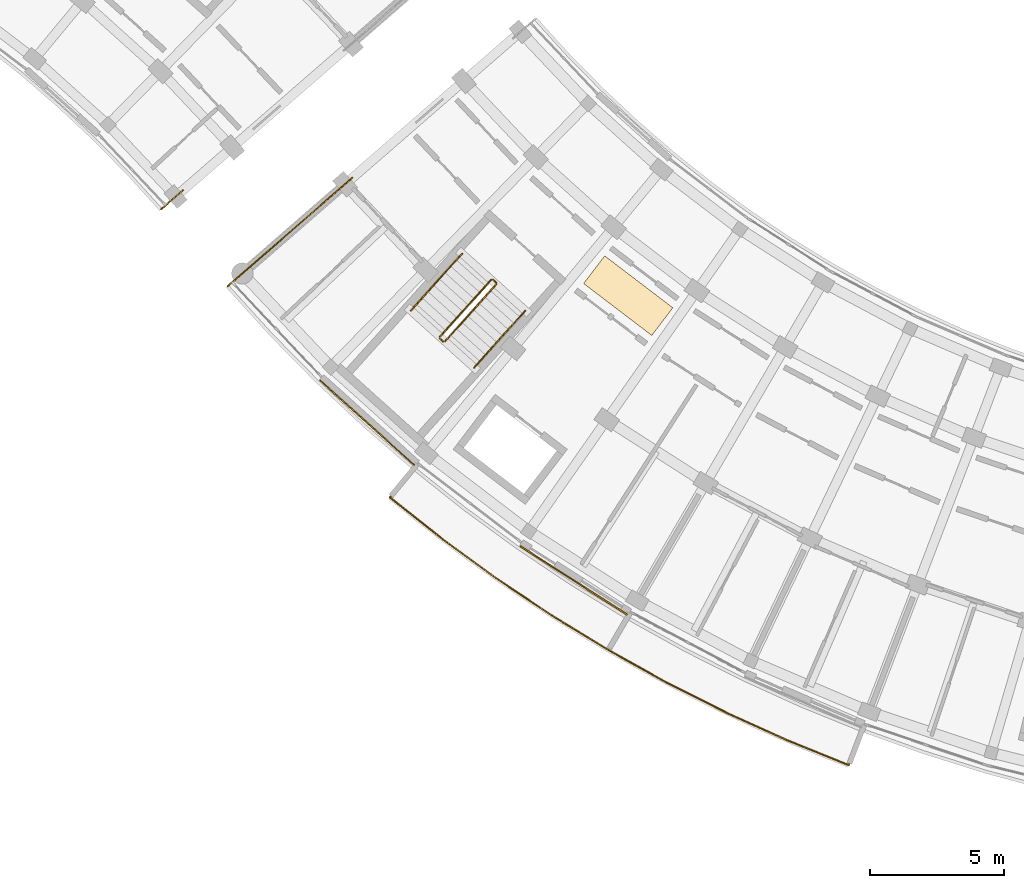
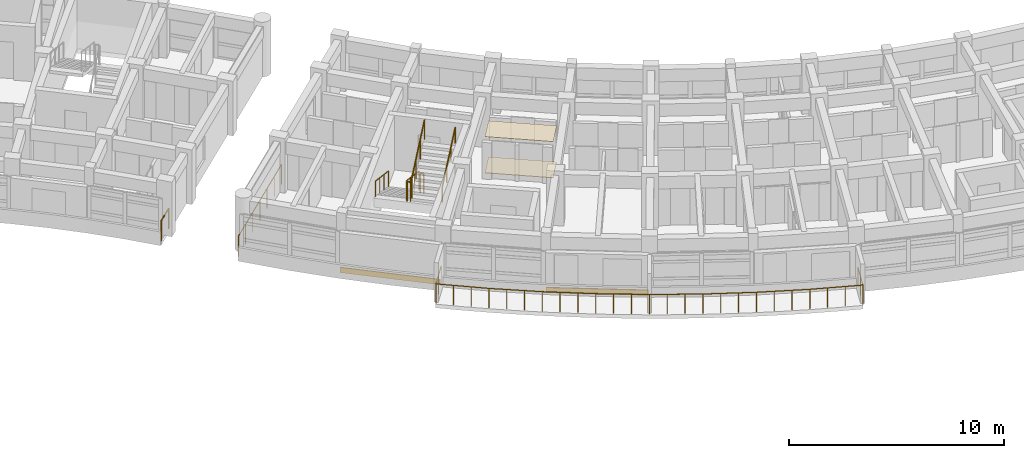
# One storey, part 45 of 54: 9 railings, 4 coverings.
"""IFC4 building model written with IfcOpenShell, lengths in metres."""

from ifc_helpers import new_model, si_unit, direction, frame, origin, origin_2d, place, context, subcontext, project, spatial, rectangle, circle, extrude, material, layer, layer_set, type_object, element, save


model = new_model("IFC4")

# Units and contexts
model_context = context("Model", 3, precision=1e-05, world=origin(), true_north=direction((0.0, 1.0)))
body_context = subcontext(model_context, "Body", "Model", "MODEL_VIEW")
ifc_project = project(units=[si_unit("LENGTHUNIT", "METRE"), si_unit("AREAUNIT", "SQUARE_METRE"), si_unit("VOLUMEUNIT", "CUBIC_METRE"), si_unit("PLANEANGLEUNIT", "RADIAN"), si_unit("MASSUNIT", "GRAM", prefix="KILO")], contexts=[model_context])

# Site, building, storey
site_placement = place(None, origin())
site = spatial("IfcSite", under=ifc_project, at=site_placement, CompositionType="ELEMENT")
building_placement = place(site_placement, origin())
building = spatial("IfcBuilding", under=site, at=building_placement, Name="Zimvara Arc Housing Community", CompositionType="ELEMENT")
storey_placement = place(building_placement, frame((0.0, 0.0, 20.5)))
storey = spatial("IfcBuildingStorey", under=building, at=storey_placement, Name="L06", CompositionType="ELEMENT", Elevation=20.5)

# Coverings
ifc_material_1 = material(Name="Pale-Gold Anodised Aluminium Cladding", Category="aluminium")
ifc_layer_1 = layer(ifc_material_1, 0.044921875)
ifc_layer_set_1 = layer_set([ifc_layer_1], Name="Pale-Gold Anodised Aluminium Cladding")
covering_type_1 = type_object("IfcCoveringType", Name="CLD-GOLD-02", PredefinedType="CLADDING", material=ifc_layer_set_1)
covering_1_placement = place(storey_placement, frame((86.20556640625, 65.655029296875, 0.009765625), z_axis=(0.0, 0.0, 1.0), x_axis=(0.74337718344, -0.668872456557, 0.0)))
element("IfcCovering", 1, at=covering_1_placement, inside=storey, type_object=covering_type_1, Name="cld:blkC:L06:out:b1", PredefinedType="CLADDING", context=body_context, shape_type="SweptSolid", body=[
    extrude(rectangle(XDim=4.748779296875, YDim=0.044921875, at=origin_2d()), origin(), (0.0, 0.0, 1.0), 0.300048828125),
])
ifc_material_2 = material(Name="Pale-Gold Anodised Aluminium Cladding", Category="aluminium")
ifc_layer_2 = layer(ifc_material_2, 0.054931640625)
ifc_layer_set_2 = layer_set([ifc_layer_2], Name="Pale-Gold Anodised Aluminium Cladding")
covering_type_2 = type_object("IfcCoveringType", Name="CLD-GOLD-04", PredefinedType="CLADDING", material=ifc_layer_set_2)
covering_2_placement = place(storey_placement, frame((93.91796875, 59.7646484375, 0.009765625), z_axis=(0.0, 0.0, 1.0), x_axis=(0.842265220048, -0.53906335351, 0.0)))
element("IfcCovering", 2, at=covering_2_placement, inside=storey, type_object=covering_type_2, Name="cld:blkC:L06:out:b3", PredefinedType="CLADDING", context=body_context, shape_type="SweptSolid", body=[
    extrude(rectangle(XDim=4.748779296875, YDim=0.054931640625, at=origin_2d()), origin(), (0.0, 0.0, 1.0), 0.300048828125),
])
ifc_material_3 = material(Name="Perforated Acoustic Ceiling Board")
ifc_layer_3 = layer(ifc_material_3, 0.02490234375)
ifc_layer_set_3 = layer_set([ifc_layer_3], Name="Perforated Acoustic Ceiling Board")
covering_type_3 = type_object("IfcCoveringType", Name="COV-CEIL-03", PredefinedType="CEILING", material=ifc_layer_set_3)
covering_3_placement = place(storey_placement, frame((95.954833984375, 70.40087890625, 2.054931640625), z_axis=(0.0, 0.0, 1.0), x_axis=(-0.605988400266, -0.795473480855, 0.0)))
element("IfcCovering", 3, at=covering_3_placement, inside=storey, type_object=covering_type_3, Name="ceil:blkC:L06", PredefinedType="CEILING", context=body_context, shape_type="SweptSolid", body=[
    extrude(rectangle(XDim=1.300048828125, YDim=3.199951171875, at=origin_2d()), origin(), (0.0, 0.0, 1.0), 0.02490234375),
])
ifc_material_4 = material(Name="Polished Coastal Sand Terrazzo")
ifc_layer_4 = layer(ifc_material_4, 0.028076171875)
ifc_layer_set_4 = layer_set([ifc_layer_4], Name="Polished Coastal Sand Terrazzo")
covering_type_4 = type_object("IfcCoveringType", Name="COV-FLOR-03", PredefinedType="FLOORING", material=ifc_layer_set_4)
covering_4_placement = place(storey_placement, frame((95.954833984375, 70.40087890625, 0.0), z_axis=(0.0, 0.0, 1.0), x_axis=(-0.605988400266, -0.795473480855, 0.0)))
element("IfcCovering", 4, at=covering_4_placement, inside=storey, type_object=covering_type_4, Name="flor:blkC:L06", PredefinedType="FLOORING", context=body_context, shape_type="SweptSolid", body=[
    extrude(rectangle(XDim=1.300048828125, YDim=3.199951171875, at=origin_2d()), origin(), (0.0, 0.0, 1.0), 0.028076171875),
])

# Railings
ifc_material_5 = material(Name="Anodised Aluminium AW-6063", Category="aluminium")
railing_type_1 = type_object("IfcRailingType", Name="RLG-BAL-1120", PredefinedType="BALUSTRADE", material=ifc_material_5)
railing_1_placement = place(storey_placement, frame((87.9892578125, 64.00244140625, 0.0)))
element("IfcRailing", 5, at=railing_1_placement, inside=storey, type_object=railing_type_1, Name="rlg:blkC:L06:bal_out_guard", PredefinedType="BALUSTRADE", context=body_context, shape_type="SweptSolid", body=[
    extrude(circle(Radius=0.02392578125, at=origin_2d()), frame((0.0, 0.0, 1.09619140625), z_axis=(-0.637910943987, -0.770110139877, 0.0), x_axis=(0.770110139877, -0.637910943987, 0.0)), (0.0, 0.0, 1.0), 1.469970703125),
    extrude(circle(Radius=0.02392578125, at=origin_2d()), frame((-0.937744140625, -1.132080078125, 1.09619140625), z_axis=(0.782995761949, -0.622027038616, 0.0), x_axis=(0.622027038616, 0.782995761949, 0.0)), (0.0, 0.0, 1.0), 2.491943359375),
    extrude(circle(Radius=0.02392578125, at=origin_2d()), frame((1.013427734375, -2.68212890625, 1.09619140625), z_axis=(0.807645933057, -0.58966774273, 0.0), x_axis=(0.58966774273, 0.807645933057, 0.0)), (0.0, 0.0, 1.0), 2.491943359375),
    extrude(circle(Radius=0.02392578125, at=origin_2d()), frame((3.026123046875, -4.151611328125, 1.09619140625), z_axis=(0.831084288939, -0.556146477719, 0.0), x_axis=(0.556146477719, 0.831084288939, 0.0)), (0.0, 0.0, 1.0), 2.49169921875),
    extrude(circle(Radius=0.02392578125, at=origin_2d()), frame((5.096923828125, -5.537353515625, 1.09619140625), z_axis=(0.85308804422, -0.521766987083, 0.0), x_axis=(0.521766987083, 0.85308804422, 0.0)), (0.0, 0.0, 1.0), 2.4921875),
    extrude(circle(Radius=0.02392578125, at=origin_2d()), frame((7.222900390625, -6.837646484375, 1.09619140625), z_axis=(0.873694706728, -0.48647462363, 0.0), x_axis=(0.48647462363, 0.873694706728, 0.0)), (0.0, 0.0, 1.0), 2.49169921875),
    extrude(circle(Radius=0.02392578125, at=origin_2d()), frame((9.39990234375, -8.0498046875, 1.09619140625), z_axis=(0.892794985218, -0.450463221994, 0.0), x_axis=(0.450463221994, 0.892794985218, 0.0)), (0.0, 0.0, 1.0), 2.491943359375),
    extrude(circle(Radius=0.02392578125, at=origin_2d()), frame((11.624755859375, -9.17236328125, 1.09619140625), z_axis=(0.910497277135, -0.413515064212, 0.0), x_axis=(0.413515064212, 0.910497277135, 0.0)), (0.0, 0.0, 1.0), 2.4921875),
    extrude(circle(Radius=0.02392578125, at=origin_2d()), frame((13.893798828125, -10.202880859375, 1.09619140625), z_axis=(0.926599979092, -0.376048505843, 0.0), x_axis=(0.376048505843, 0.926599979092, 0.0)), (0.0, 0.0, 1.0), 2.49169921875),
    extrude(circle(Radius=0.02392578125, at=origin_2d()), frame((16.20263671875, -11.139892578125, 1.09619140625), z_axis=(0.357086323574, 0.934071387805, 0.0), x_axis=(-0.934071387805, 0.357086323574, 0.0)), (0.0, 0.0, 1.0), 1.469970703125),
    extrude(circle(Radius=0.02099609375, at=origin_2d()), origin(), (0.0, 0.0, 1.0), 1.072021484375),
    extrude(circle(Radius=0.02099609375, at=origin_2d()), frame((-0.46875, -0.56591796875, 0.0)), (0.0, 0.0, 1.0), 1.072021484375),
    extrude(circle(Radius=0.02099609375, at=origin_2d()), frame((-0.937744140625, -1.132080078125, 0.0)), (0.0, 0.0, 1.0), 1.072021484375),
    extrude(circle(Radius=0.02099609375, at=origin_2d()), frame((-0.287353515625, -1.648681640625, 0.0)), (0.0, 0.0, 1.0), 1.072021484375),
    extrude(circle(Radius=0.02099609375, at=origin_2d()), frame((0.363037109375, -2.16552734375, 0.0)), (0.0, 0.0, 1.0), 1.072021484375),
    extrude(circle(Radius=0.02099609375, at=origin_2d()), frame((1.013427734375, -2.68212890625, 0.0)), (0.0, 0.0, 1.0), 1.072021484375),
    extrude(circle(Radius=0.02099609375, at=origin_2d()), frame((1.684326171875, -3.171875, 0.0)), (0.0, 0.0, 1.0), 1.072021484375),
    extrude(circle(Radius=0.02099609375, at=origin_2d()), frame((2.355224609375, -3.661865234375, 0.0)), (0.0, 0.0, 1.0), 1.072021484375),
    extrude(circle(Radius=0.02099609375, at=origin_2d()), frame((3.026123046875, -4.151611328125, 0.0)), (0.0, 0.0, 1.0), 1.072021484375),
    extrude(circle(Radius=0.02099609375, at=origin_2d()), frame((3.71630859375, -4.613525390625, 0.0)), (0.0, 0.0, 1.0), 1.072021484375),
    extrude(circle(Radius=0.02099609375, at=origin_2d()), frame((4.40673828125, -5.075439453125, 0.0)), (0.0, 0.0, 1.0), 1.072021484375),
    extrude(circle(Radius=0.02099609375, at=origin_2d()), frame((5.096923828125, -5.537353515625, 0.0)), (0.0, 0.0, 1.0), 1.072021484375),
    extrude(circle(Radius=0.02099609375, at=origin_2d()), frame((5.8056640625, -5.970703125, 0.0)), (0.0, 0.0, 1.0), 1.072021484375),
    extrude(circle(Radius=0.02099609375, at=origin_2d()), frame((6.51416015625, -6.404296875, 0.0)), (0.0, 0.0, 1.0), 1.072021484375),
    extrude(circle(Radius=0.02099609375, at=origin_2d()), frame((7.222900390625, -6.837646484375, 0.0)), (0.0, 0.0, 1.0), 1.072021484375),
    extrude(circle(Radius=0.02099609375, at=origin_2d()), frame((7.948486328125, -7.24169921875, 0.0)), (0.0, 0.0, 1.0), 1.072021484375),
    extrude(circle(Radius=0.02099609375, at=origin_2d()), frame((8.67431640625, -7.645751953125, 0.0)), (0.0, 0.0, 1.0), 1.072021484375),
    extrude(circle(Radius=0.02099609375, at=origin_2d()), frame((9.39990234375, -8.0498046875, 0.0)), (0.0, 0.0, 1.0), 1.072021484375),
    extrude(circle(Radius=0.02099609375, at=origin_2d()), frame((10.1416015625, -8.424072265625, 0.0)), (0.0, 0.0, 1.0), 1.072021484375),
    extrude(circle(Radius=0.02099609375, at=origin_2d()), frame((10.883056640625, -8.798095703125, 0.0)), (0.0, 0.0, 1.0), 1.072021484375),
    extrude(circle(Radius=0.02099609375, at=origin_2d()), frame((11.624755859375, -9.17236328125, 0.0)), (0.0, 0.0, 1.0), 1.072021484375),
    extrude(circle(Radius=0.02099609375, at=origin_2d()), frame((12.381103515625, -9.515869140625, 0.0)), (0.0, 0.0, 1.0), 1.072021484375),
    extrude(circle(Radius=0.02099609375, at=origin_2d()), frame((13.137451171875, -9.859375, 0.0)), (0.0, 0.0, 1.0), 1.072021484375),
    extrude(circle(Radius=0.02099609375, at=origin_2d()), frame((13.893798828125, -10.202880859375, 0.0)), (0.0, 0.0, 1.0), 1.072021484375),
    extrude(circle(Radius=0.02099609375, at=origin_2d()), frame((14.663330078125, -10.51513671875, 0.0)), (0.0, 0.0, 1.0), 1.072021484375),
    extrude(circle(Radius=0.02099609375, at=origin_2d()), frame((15.43310546875, -10.82763671875, 0.0)), (0.0, 0.0, 1.0), 1.072021484375),
    extrude(circle(Radius=0.02099609375, at=origin_2d()), frame((16.20263671875, -11.139892578125, 0.0)), (0.0, 0.0, 1.0), 1.072021484375),
    extrude(circle(Radius=0.02099609375, at=origin_2d()), frame((16.465087890625, -10.453369140625, 0.0)), (0.0, 0.0, 1.0), 1.072021484375),
    extrude(circle(Radius=0.02099609375, at=origin_2d()), frame((16.7275390625, -9.766845703125, 0.0)), (0.0, 0.0, 1.0), 1.072021484375),
])
railing_2_placement = place(storey_placement, frame((90.83447265625, 70.993896484375, 0.155029296875)))
element("IfcRailing", 6, at=railing_2_placement, inside=storey, type_object=railing_type_1, Name="L06 ST-C1 stair guard 1", PredefinedType="BALUSTRADE", context=body_context, shape_type="SweptSolid", body=[
    extrude(circle(Radius=0.02392578125, at=origin_2d()), frame((0.0, 0.0, 1.09619140625), z_axis=(-0.601262536038, -0.668205807809, 0.438160200347), x_axis=(0.743362010683, -0.668889319, 0.0)), (0.0, 0.0, 1.0), 3.183837890625),
    extrude(circle(Radius=0.02099609375, at=origin_2d()), origin(), (0.0, 0.0, 1.0), 1.072021484375),
    extrude(circle(Radius=0.02099609375, at=origin_2d()), frame((-0.63818359375, -0.709228515625, 0.465087890625)), (0.0, 0.0, 1.0), 1.072021484375),
    extrude(circle(Radius=0.02099609375, at=origin_2d()), frame((-1.276123046875, -1.418212890625, 0.929931640625)), (0.0, 0.0, 1.0), 1.072021484375),
    extrude(circle(Radius=0.02099609375, at=origin_2d()), frame((-1.914306640625, -2.12744140625, 1.39501953125)), (0.0, 0.0, 1.0), 1.072021484375),
])
railing_3_placement = place(storey_placement, frame((88.923828125, 68.795654296875, 1.550048828125)))
element("IfcRailing", 7, at=railing_3_placement, inside=storey, type_object=railing_type_1, Name="L06 ST-C1 stair guard 2", PredefinedType="BALUSTRADE", context=body_context, shape_type="SweptSolid", body=[
    extrude(circle(Radius=0.02392578125, at=origin_2d()), frame((0.0, 0.0, 1.09619140625), z_axis=(0.744203407529, -0.667953058397, 0.0), x_axis=(0.667953058397, 0.744203407529, 0.0)), (0.0, 0.0, 1.0), 0.16015625),
    extrude(circle(Radius=0.02099609375, at=origin_2d()), origin(), (0.0, 0.0, 1.0), 1.072021484375),
    extrude(circle(Radius=0.02099609375, at=origin_2d()), frame((0.119140625, -0.10693359375, 0.0)), (0.0, 0.0, 1.0), 1.072021484375),
])
railing_4_placement = place(storey_placement, frame((89.113525390625, 68.6923828125, 1.705078125)))
element("IfcRailing", 8, at=railing_4_placement, inside=storey, type_object=railing_type_1, Name="L06 ST-C1 stair guard 3", PredefinedType="BALUSTRADE", context=body_context, shape_type="SweptSolid", body=[
    extrude(circle(Radius=0.02392578125, at=origin_2d()), frame((0.0, 0.0, 1.09619140625), z_axis=(0.601231728384, 0.668248248038, 0.438137749775), x_axis=(-0.743400174344, 0.668846903847, 0.0)), (0.0, 0.0, 1.0), 3.18408203125),
    extrude(circle(Radius=0.02099609375, at=origin_2d()), origin(), (0.0, 0.0, 1.0), 1.072021484375),
    extrude(circle(Radius=0.02099609375, at=origin_2d()), frame((0.63818359375, 0.709228515625, 0.465087890625)), (0.0, 0.0, 1.0), 1.072021484375),
    extrude(circle(Radius=0.02099609375, at=origin_2d()), frame((1.276123046875, 1.41845703125, 0.929931640625)), (0.0, 0.0, 1.0), 1.072021484375),
    extrude(circle(Radius=0.02099609375, at=origin_2d()), frame((1.914306640625, 2.127685546875, 1.39501953125)), (0.0, 0.0, 1.0), 1.072021484375),
])
railing_5_placement = place(storey_placement, frame((90.905029296875, 70.99755859375, 0.0)))
element("IfcRailing", 9, at=railing_5_placement, inside=storey, type_object=railing_type_1, Name="L06 ST-C1 stair guard 4", PredefinedType="BALUSTRADE", context=body_context, shape_type="SweptSolid", body=[
    extrude(circle(Radius=0.02392578125, at=origin_2d()), frame((0.0, 0.0, 1.09619140625), z_axis=(0.744203407529, -0.667953058397, 0.0), x_axis=(0.667953058397, 0.744203407529, 0.0)), (0.0, 0.0, 1.0), 0.16015625),
    extrude(circle(Radius=0.02099609375, at=origin_2d()), origin(), (0.0, 0.0, 1.0), 1.072021484375),
    extrude(circle(Radius=0.02099609375, at=origin_2d()), frame((0.119140625, -0.10693359375, 0.0)), (0.0, 0.0, 1.0), 1.072021484375),
])
ifc_material_6 = material(Name="Anodised Aluminium AW-6063", Category="aluminium")
railing_type_2 = type_object("IfcRailingType", Name="RLG-BAL-1150", PredefinedType="BALUSTRADE", material=ifc_material_6)
railing_6_placement = place(storey_placement, frame((78.509033203125, 73.62890625, 0.0)))
element("IfcRailing", 10, at=railing_6_placement, inside=storey, type_object=railing_type_2, Name="rlg:blkB:L06:gable_in:gN", PredefinedType="BALUSTRADE", context=body_context, shape_type="SweptSolid", body=[
    extrude(circle(Radius=0.02392578125, at=origin_2d()), frame((0.0, 0.0, 1.1259765625), z_axis=(0.754659042762, 0.656117161167, 0.0), x_axis=(-0.656117161167, 0.754659042762, 0.0)), (0.0, 0.0, 1.0), 1.080322265625),
    extrude(circle(Radius=0.02099609375, at=origin_2d()), origin(), (0.0, 0.0, 1.0), 1.101806640625),
    extrude(circle(Radius=0.02099609375, at=origin_2d()), frame((0.815185546875, 0.708740234375, 0.0)), (0.0, 0.0, 1.0), 1.101806640625),
])
railing_7_placement = place(storey_placement, frame((85.6484375, 74.80029296875, 0.0)))
element("IfcRailing", 11, at=railing_7_placement, inside=storey, type_object=railing_type_2, Name="rlg:blkC:L06:gable_out:g0", PredefinedType="BALUSTRADE", context=body_context, shape_type="SweptSolid", body=[
    extrude(circle(Radius=0.02392578125, at=origin_2d()), frame((0.0, 0.0, 1.1259765625), z_axis=(-0.754706192268, -0.656062926367, 0.0), x_axis=(0.656062926367, -0.754706192268, 0.0)), (0.0, 0.0, 1.0), 6.16015625),
    extrude(circle(Radius=0.02099609375, at=origin_2d()), origin(), (0.0, 0.0, 1.0), 1.101806640625),
    extrude(circle(Radius=0.02099609375, at=origin_2d()), frame((-0.77490234375, -0.673583984375, 0.0)), (0.0, 0.0, 1.0), 1.101806640625),
    extrude(circle(Radius=0.02099609375, at=origin_2d()), frame((-1.5498046875, -1.34716796875, 0.0)), (0.0, 0.0, 1.0), 1.101806640625),
    extrude(circle(Radius=0.02099609375, at=origin_2d()), frame((-2.32470703125, -2.020751953125, 0.0)), (0.0, 0.0, 1.0), 1.101806640625),
    extrude(circle(Radius=0.02099609375, at=origin_2d()), frame((-3.099365234375, -2.6943359375, 0.0)), (0.0, 0.0, 1.0), 1.101806640625),
    extrude(circle(Radius=0.02099609375, at=origin_2d()), frame((-3.874267578125, -3.367919921875, 0.0)), (0.0, 0.0, 1.0), 1.101806640625),
    extrude(circle(Radius=0.02099609375, at=origin_2d()), frame((-4.649169921875, -4.04150390625, 0.0)), (0.0, 0.0, 1.0), 1.101806640625),
])
ifc_material_7 = material(Name="Anodised Aluminium AW-6063", Category="aluminium")
railing_type_3 = type_object("IfcRailingType", Name="RLG-HND-900", PredefinedType="HANDRAIL", material=ifc_material_7)
railing_8_placement = place(storey_placement, frame((89.749267578125, 71.970458984375, 0.155029296875)))
element("IfcRailing", 12, at=railing_8_placement, inside=storey, type_object=railing_type_3, Name="L06 ST-C1 stair handrail 1", PredefinedType="HANDRAIL", context=body_context, shape_type="SweptSolid", body=[
    extrude(circle(Radius=0.02392578125, at=origin_2d()), frame((0.0, 0.0, 0.8759765625), z_axis=(-0.601262536038, -0.668205807809, 0.438160200347), x_axis=(0.743362010683, -0.668889319, 0.0)), (0.0, 0.0, 1.0), 3.183837890625),
    extrude(circle(Radius=0.02099609375, at=origin_2d()), origin(), (0.0, 0.0, 1.0), 0.851806640625),
    extrude(circle(Radius=0.02099609375, at=origin_2d()), frame((-0.63818359375, -0.709228515625, 0.465087890625)), (0.0, 0.0, 1.0), 0.851806640625),
    extrude(circle(Radius=0.02099609375, at=origin_2d()), frame((-1.276123046875, -1.418212890625, 0.929931640625)), (0.0, 0.0, 1.0), 0.851806640625),
    extrude(circle(Radius=0.02099609375, at=origin_2d()), frame((-1.914306640625, -2.12744140625, 1.39501953125)), (0.0, 0.0, 1.0), 0.851806640625),
])
railing_9_placement = place(storey_placement, frame((90.19873046875, 67.7158203125, 1.705078125)))
element("IfcRailing", 13, at=railing_9_placement, inside=storey, type_object=railing_type_3, Name="L06 ST-C1 stair handrail 2", PredefinedType="HANDRAIL", context=body_context, shape_type="SweptSolid", body=[
    extrude(circle(Radius=0.02392578125, at=origin_2d()), frame((0.0, 0.0, 0.8759765625), z_axis=(0.601231728384, 0.668248248038, 0.438137749775), x_axis=(-0.743400174344, 0.668846903847, 0.0)), (0.0, 0.0, 1.0), 3.18408203125),
    extrude(circle(Radius=0.02099609375, at=origin_2d()), origin(), (0.0, 0.0, 1.0), 0.851806640625),
    extrude(circle(Radius=0.02099609375, at=origin_2d()), frame((0.63818359375, 0.709228515625, 0.465087890625)), (0.0, 0.0, 1.0), 0.851806640625),
    extrude(circle(Radius=0.02099609375, at=origin_2d()), frame((1.276123046875, 1.41845703125, 0.929931640625)), (0.0, 0.0, 1.0), 0.851806640625),
    extrude(circle(Radius=0.02099609375, at=origin_2d()), frame((1.914306640625, 2.127685546875, 1.39501953125)), (0.0, 0.0, 1.0), 0.851806640625),
])

save(model, "model.ifc")
